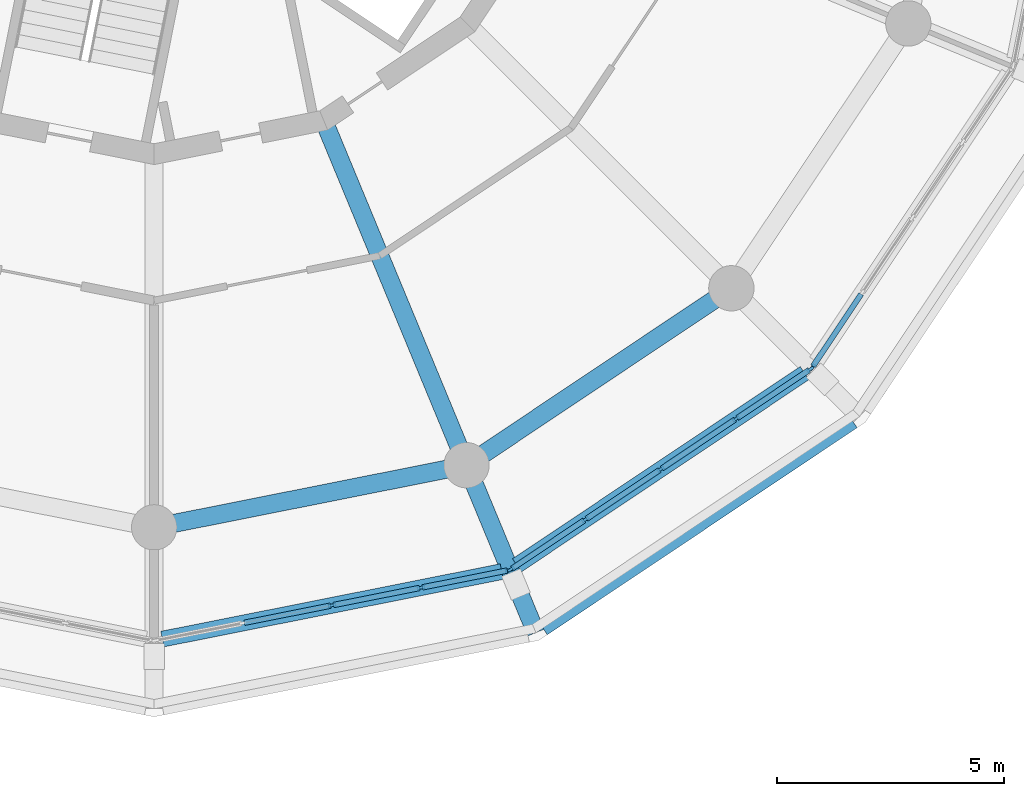
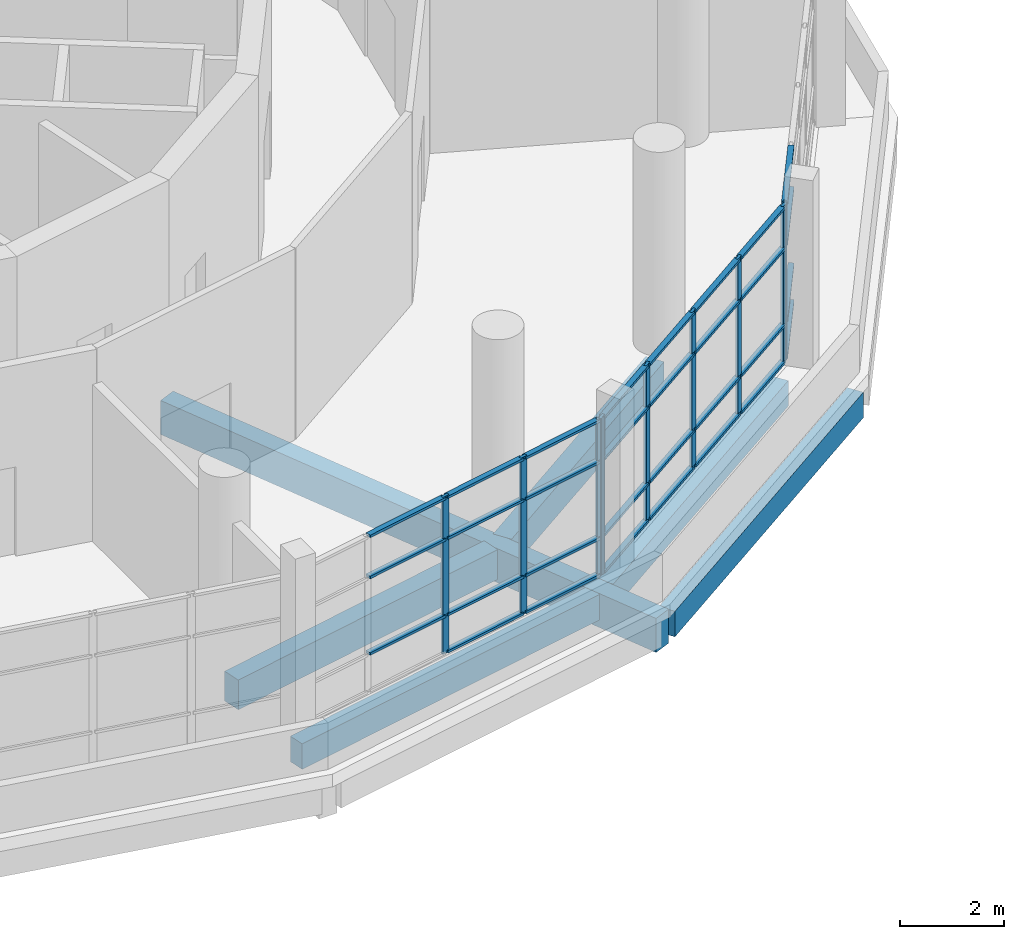
# One storey, part 5 of 40: 40 members, 6 beams, 3 elements without a shape of their own.
"""IFC4 building model written with IfcOpenShell, lengths in metres."""

from ifc_helpers import new_model, si_unit, direction, frame, origin, origin_2d, place, context, subcontext, project, spatial, rectangle, extrude, material, material_profile, profile_set, type_object, element, aggregate, save


model = new_model("IFC4")

# Units and contexts
model_context = context("Model", 3, precision=1e-05, world=origin(), true_north=direction((0.0, 1.0)))
body_context = subcontext(model_context, "Body", "Model", "MODEL_VIEW")
ifc_project = project(units=[si_unit("LENGTHUNIT", "METRE"), si_unit("AREAUNIT", "SQUARE_METRE"), si_unit("VOLUMEUNIT", "CUBIC_METRE"), si_unit("PLANEANGLEUNIT", "RADIAN"), si_unit("MASSUNIT", "GRAM", prefix="KILO")], contexts=[model_context])

# Site, building, storey
site_placement = place(None, origin())
site = spatial("IfcSite", under=ifc_project, at=site_placement, CompositionType="ELEMENT")
building_placement = place(site_placement, origin())
building = spatial("IfcBuilding", under=site, at=building_placement, Name="Ceibo Conservatory and Research Tower", CompositionType="ELEMENT")
storey_placement = place(building_placement, frame((0.0, 0.0, 6.0)))
storey = spatial("IfcBuildingStorey", under=building, at=storey_placement, Name="L01", CompositionType="ELEMENT", Elevation=6.0)

# Curtain wall, members
ifc_material_1 = material(Name="Aluminium and glass", Category="aluminium")
curtain_wall_type = type_object("IfcCurtainWallType", Name="Curtain wall CW1", PredefinedType="NOTDEFINED", material=ifc_material_1)
curtain_wall_1_placement = place(storey_placement, origin())
curtain_wall_1 = element("IfcCurtainWall", 1, at=curtain_wall_1_placement, inside=storey, type_object=curtain_wall_type, Name="CW-01.13", PredefinedType="NOTDEFINED")
ifc_material_2 = material(Name="Aluminium", Category="aluminium")
ifc_material_profile_1 = material_profile(ifc_material_2, rectangle(XDim=0.06005859375, YDim=0.159912109375, at=origin_2d()), Name="Aluminium 60 x 160")
ifc_profile_set_1 = profile_set([ifc_material_profile_1], Name="Aluminium")
member_type_1 = type_object("IfcMemberType", Name="Aluminium mullion 60 x 160", PredefinedType="MULLION", material=ifc_profile_set_1)
member_1_placement = place(storey_placement, frame((51.922607421875, 100.2802734375, 0.0), z_axis=(0.0, 0.0, 1.0), x_axis=(-0.195090380799, 0.980785268711, 0.0)))
member_1 = element("IfcMember", 2, at=member_1_placement, type_object=member_type_1, Name="CW-01.13 mullion 3", PredefinedType="MULLION", context=body_context, shape_type="SweptSolid", body=[
    extrude(rectangle(XDim=0.06005859375, YDim=0.159912109375, at=origin_2d()), origin(), (0.0, 0.0, 1.0), 3.699951171875),
])
member_2_placement = place(storey_placement, frame((53.8837890625, 100.67041015625, 0.0), z_axis=(0.0, 0.0, 1.0), x_axis=(-0.195090380799, 0.980785268711, 0.0)))
member_2 = element("IfcMember", 3, at=member_2_placement, type_object=member_type_1, Name="CW-01.13 mullion 4", PredefinedType="MULLION", context=body_context, shape_type="SweptSolid", body=[
    extrude(rectangle(XDim=0.06005859375, YDim=0.159912109375, at=origin_2d()), origin(), (0.0, 0.0, 1.0), 3.699951171875),
])
member_3_placement = place(storey_placement, frame((55.815673828125, 101.0546875, 0.0), z_axis=(0.0, 0.0, 1.0), x_axis=(-0.195090380799, 0.980785268711, 0.0)))
member_3 = element("IfcMember", 4, at=member_3_placement, type_object=member_type_1, Name="CW-01.13 mullion 5", PredefinedType="MULLION", context=body_context, shape_type="SweptSolid", body=[
    extrude(rectangle(XDim=0.06005859375, YDim=0.159912109375, at=origin_2d()), origin(), (0.0, 0.0, 1.0), 3.699951171875),
])

curtain_wall_2_placement = place(storey_placement, origin())
curtain_wall_2 = element("IfcCurtainWall", 5, at=curtain_wall_2_placement, inside=storey, type_object=curtain_wall_type, Name="CW-01.14", PredefinedType="NOTDEFINED")
member_4_placement = place(storey_placement, frame((55.869873046875, 101.0771484375, 0.0), z_axis=(0.0, 0.0, 1.0), x_axis=(-0.555570178092, 0.831469649004, 0.0)))
member_4 = element("IfcMember", 6, at=member_4_placement, type_object=member_type_1, Name="CW-01.14 mullion 1", PredefinedType="MULLION", context=body_context, shape_type="SweptSolid", body=[
    extrude(rectangle(XDim=0.06005859375, YDim=0.159912109375, at=origin_2d()), origin(), (0.0, 0.0, 1.0), 3.699951171875),
])
member_5_placement = place(storey_placement, frame((57.507568359375, 102.17138671875, 0.0), z_axis=(0.0, 0.0, 1.0), x_axis=(-0.555570178092, 0.831469649004, 0.0)))
member_5 = element("IfcMember", 7, at=member_5_placement, type_object=member_type_1, Name="CW-01.14 mullion 2", PredefinedType="MULLION", context=body_context, shape_type="SweptSolid", body=[
    extrude(rectangle(XDim=0.06005859375, YDim=0.159912109375, at=origin_2d()), origin(), (0.0, 0.0, 1.0), 3.699951171875),
])
member_6_placement = place(storey_placement, frame((59.17041015625, 103.282470703125, 0.0), z_axis=(0.0, 0.0, 1.0), x_axis=(-0.555570178092, 0.831469649004, 0.0)))
member_6 = element("IfcMember", 8, at=member_6_placement, type_object=member_type_1, Name="CW-01.14 mullion 3", PredefinedType="MULLION", context=body_context, shape_type="SweptSolid", body=[
    extrude(rectangle(XDim=0.06005859375, YDim=0.159912109375, at=origin_2d()), origin(), (0.0, 0.0, 1.0), 3.699951171875),
])
member_7_placement = place(storey_placement, frame((60.8330078125, 104.393310546875, 0.0), z_axis=(0.0, 0.0, 1.0), x_axis=(-0.555570178092, 0.831469649004, 0.0)))
member_7 = element("IfcMember", 9, at=member_7_placement, type_object=member_type_1, Name="CW-01.14 mullion 4", PredefinedType="MULLION", context=body_context, shape_type="SweptSolid", body=[
    extrude(rectangle(XDim=0.06005859375, YDim=0.159912109375, at=origin_2d()), origin(), (0.0, 0.0, 1.0), 3.699951171875),
])
member_8_placement = place(storey_placement, frame((62.470703125, 105.487548828125, 0.0), z_axis=(0.0, 0.0, 1.0), x_axis=(-0.555570178092, 0.831469649004, 0.0)))
member_8 = element("IfcMember", 10, at=member_8_placement, type_object=member_type_1, Name="CW-01.14 mullion 5", PredefinedType="MULLION", context=body_context, shape_type="SweptSolid", body=[
    extrude(rectangle(XDim=0.06005859375, YDim=0.159912109375, at=origin_2d()), origin(), (0.0, 0.0, 1.0), 3.699951171875),
])

# Curtain wall, member
curtain_wall_3_placement = place(storey_placement, origin())
curtain_wall_3 = element("IfcCurtainWall", 11, at=curtain_wall_3_placement, inside=storey, type_object=curtain_wall_type, Name="CW-01.15", PredefinedType="NOTDEFINED")
member_9_placement = place(storey_placement, frame((62.512451171875, 105.529296875, 0.0), z_axis=(0.0, 0.0, 1.0), x_axis=(-0.831469649004, 0.555570178092, 0.0)))
member_9 = element("IfcMember", 12, at=member_9_placement, type_object=member_type_1, Name="CW-01.15 mullion 1", PredefinedType="MULLION", context=body_context, shape_type="SweptSolid", body=[
    extrude(rectangle(XDim=0.06005859375, YDim=0.159912109375, at=origin_2d()), origin(), (0.0, 0.0, 1.0), 3.699951171875),
])

# Member
ifc_material_profile_2 = material_profile(ifc_material_2, rectangle(XDim=0.1201171875, YDim=0.06005859375, at=origin_2d()), Name="Aluminium 60 x 120")
ifc_profile_set_2 = profile_set([ifc_material_profile_2], Name="Aluminium")
member_type_2 = type_object("IfcMemberType", Name="Aluminium transom 60 x 120", PredefinedType="USERDEFINED", material=ifc_profile_set_2)
member_10_placement = place(storey_placement, frame((49.99072265625, 99.89599609375, 0.89990234375), z_axis=(0.980783478053, 0.195099382826, 0.0), x_axis=(-0.195099382826, 0.980783478053, 0.0)))
member_10 = element("IfcMember", 13, at=member_10_placement, type_object=member_type_2, Name="CW-01.13 transom 2.2", ObjectType="TRANSOM", PredefinedType="USERDEFINED", context=body_context, shape_type="SweptSolid", body=[
    extrude(rectangle(XDim=0.1201171875, YDim=0.06005859375, at=origin_2d()), origin(), (0.0, 0.0, 1.0), 1.939697265625),
])

member_11_placement = place(storey_placement, frame((49.99072265625, 99.89599609375, 2.699951171875), z_axis=(0.980783478053, 0.195099382826, 0.0), x_axis=(-0.195099382826, 0.980783478053, 0.0)))
member_11 = element("IfcMember", 14, at=member_11_placement, type_object=member_type_2, Name="CW-01.13 transom 2.3", ObjectType="TRANSOM", PredefinedType="USERDEFINED", context=body_context, shape_type="SweptSolid", body=[
    extrude(rectangle(XDim=0.1201171875, YDim=0.06005859375, at=origin_2d()), origin(), (0.0, 0.0, 1.0), 1.939697265625),
])

member_12_placement = place(storey_placement, frame((49.99072265625, 99.89599609375, 3.669921875), z_axis=(0.980783478053, 0.195099382826, 0.0), x_axis=(-0.195099382826, 0.980783478053, 0.0)))
member_12 = element("IfcMember", 15, at=member_12_placement, type_object=member_type_2, Name="CW-01.13 transom 2.4", ObjectType="TRANSOM", PredefinedType="USERDEFINED", context=body_context, shape_type="SweptSolid", body=[
    extrude(rectangle(XDim=0.1201171875, YDim=0.06005859375, at=origin_2d()), origin(), (0.0, 0.0, 1.0), 1.939697265625),
])

member_13_placement = place(storey_placement, frame((51.951904296875, 100.2861328125, 0.030029296875), z_axis=(0.980783478053, 0.195099382826, 0.0), x_axis=(-0.195099382826, 0.980783478053, 0.0)))
member_13 = element("IfcMember", 16, at=member_13_placement, type_object=member_type_2, Name="CW-01.13 transom 3.1", ObjectType="TRANSOM", PredefinedType="USERDEFINED", context=body_context, shape_type="SweptSolid", body=[
    extrude(rectangle(XDim=0.1201171875, YDim=0.06005859375, at=origin_2d()), origin(), (0.0, 0.0, 1.0), 1.939697265625),
])

member_14_placement = place(storey_placement, frame((51.951904296875, 100.2861328125, 0.89990234375), z_axis=(0.980783478053, 0.195099382826, 0.0), x_axis=(-0.195099382826, 0.980783478053, 0.0)))
member_14 = element("IfcMember", 17, at=member_14_placement, type_object=member_type_2, Name="CW-01.13 transom 3.2", ObjectType="TRANSOM", PredefinedType="USERDEFINED", context=body_context, shape_type="SweptSolid", body=[
    extrude(rectangle(XDim=0.1201171875, YDim=0.06005859375, at=origin_2d()), origin(), (0.0, 0.0, 1.0), 1.939697265625),
])

member_15_placement = place(storey_placement, frame((51.951904296875, 100.2861328125, 2.699951171875), z_axis=(0.980783478053, 0.195099382826, 0.0), x_axis=(-0.195099382826, 0.980783478053, 0.0)))
member_15 = element("IfcMember", 18, at=member_15_placement, type_object=member_type_2, Name="CW-01.13 transom 3.3", ObjectType="TRANSOM", PredefinedType="USERDEFINED", context=body_context, shape_type="SweptSolid", body=[
    extrude(rectangle(XDim=0.1201171875, YDim=0.06005859375, at=origin_2d()), origin(), (0.0, 0.0, 1.0), 1.939697265625),
])

member_16_placement = place(storey_placement, frame((51.951904296875, 100.2861328125, 3.669921875), z_axis=(0.980783478053, 0.195099382826, 0.0), x_axis=(-0.195099382826, 0.980783478053, 0.0)))
member_16 = element("IfcMember", 19, at=member_16_placement, type_object=member_type_2, Name="CW-01.13 transom 3.4", ObjectType="TRANSOM", PredefinedType="USERDEFINED", context=body_context, shape_type="SweptSolid", body=[
    extrude(rectangle(XDim=0.1201171875, YDim=0.06005859375, at=origin_2d()), origin(), (0.0, 0.0, 1.0), 1.939697265625),
])

member_17_placement = place(storey_placement, frame((53.9130859375, 100.67626953125, 0.030029296875), z_axis=(0.980786642434, 0.195083474499, 0.0), x_axis=(-0.195083474499, 0.980786642434, 0.0)))
member_17 = element("IfcMember", 20, at=member_17_placement, type_object=member_type_2, Name="CW-01.13 transom 4.1", ObjectType="TRANSOM", PredefinedType="USERDEFINED", context=body_context, shape_type="SweptSolid", body=[
    extrude(rectangle(XDim=0.1201171875, YDim=0.06005859375, at=origin_2d()), origin(), (0.0, 0.0, 1.0), 1.90966796875),
])

member_18_placement = place(storey_placement, frame((53.9130859375, 100.67626953125, 0.89990234375), z_axis=(0.980786642434, 0.195083474499, 0.0), x_axis=(-0.195083474499, 0.980786642434, 0.0)))
member_18 = element("IfcMember", 21, at=member_18_placement, type_object=member_type_2, Name="CW-01.13 transom 4.2", ObjectType="TRANSOM", PredefinedType="USERDEFINED", context=body_context, shape_type="SweptSolid", body=[
    extrude(rectangle(XDim=0.1201171875, YDim=0.06005859375, at=origin_2d()), origin(), (0.0, 0.0, 1.0), 1.90966796875),
])

member_19_placement = place(storey_placement, frame((53.9130859375, 100.67626953125, 2.699951171875), z_axis=(0.980786642434, 0.195083474499, 0.0), x_axis=(-0.195083474499, 0.980786642434, 0.0)))
member_19 = element("IfcMember", 22, at=member_19_placement, type_object=member_type_2, Name="CW-01.13 transom 4.3", ObjectType="TRANSOM", PredefinedType="USERDEFINED", context=body_context, shape_type="SweptSolid", body=[
    extrude(rectangle(XDim=0.1201171875, YDim=0.06005859375, at=origin_2d()), origin(), (0.0, 0.0, 1.0), 1.90966796875),
])

member_20_placement = place(storey_placement, frame((53.9130859375, 100.67626953125, 3.669921875), z_axis=(0.980786642434, 0.195083474499, 0.0), x_axis=(-0.195083474499, 0.980786642434, 0.0)))
member_20 = element("IfcMember", 23, at=member_20_placement, type_object=member_type_2, Name="CW-01.13 transom 4.4", ObjectType="TRANSOM", PredefinedType="USERDEFINED", context=body_context, shape_type="SweptSolid", body=[
    extrude(rectangle(XDim=0.1201171875, YDim=0.06005859375, at=origin_2d()), origin(), (0.0, 0.0, 1.0), 1.90966796875),
])

aggregate(curtain_wall_1, [member_1, member_2, member_3, member_10, member_11, member_12, member_13, member_14, member_15, member_16, member_17, member_18, member_19, member_20])

member_21_placement = place(storey_placement, frame((55.89501953125, 101.09375, 0.030029296875), z_axis=(0.831420334371, 0.555643975577, 0.0), x_axis=(-0.555643975577, 0.831420334371, 0.0)))
member_21 = element("IfcMember", 24, at=member_21_placement, type_object=member_type_2, Name="CW-01.14 transom 1.1", ObjectType="TRANSOM", PredefinedType="USERDEFINED", context=body_context, shape_type="SweptSolid", body=[
    extrude(rectangle(XDim=0.1201171875, YDim=0.06005859375, at=origin_2d()), origin(), (0.0, 0.0, 1.0), 1.90966796875),
])

member_22_placement = place(storey_placement, frame((55.89501953125, 101.09375, 0.89990234375), z_axis=(0.831420334371, 0.555643975577, 0.0), x_axis=(-0.555643975577, 0.831420334371, 0.0)))
member_22 = element("IfcMember", 25, at=member_22_placement, type_object=member_type_2, Name="CW-01.14 transom 1.2", ObjectType="TRANSOM", PredefinedType="USERDEFINED", context=body_context, shape_type="SweptSolid", body=[
    extrude(rectangle(XDim=0.1201171875, YDim=0.06005859375, at=origin_2d()), origin(), (0.0, 0.0, 1.0), 1.90966796875),
])

member_23_placement = place(storey_placement, frame((55.89501953125, 101.09375, 2.699951171875), z_axis=(0.831420334371, 0.555643975577, 0.0), x_axis=(-0.555643975577, 0.831420334371, 0.0)))
member_23 = element("IfcMember", 26, at=member_23_placement, type_object=member_type_2, Name="CW-01.14 transom 1.3", ObjectType="TRANSOM", PredefinedType="USERDEFINED", context=body_context, shape_type="SweptSolid", body=[
    extrude(rectangle(XDim=0.1201171875, YDim=0.06005859375, at=origin_2d()), origin(), (0.0, 0.0, 1.0), 1.90966796875),
])

member_24_placement = place(storey_placement, frame((55.89501953125, 101.09375, 3.669921875), z_axis=(0.831420334371, 0.555643975577, 0.0), x_axis=(-0.555643975577, 0.831420334371, 0.0)))
member_24 = element("IfcMember", 27, at=member_24_placement, type_object=member_type_2, Name="CW-01.14 transom 1.4", ObjectType="TRANSOM", PredefinedType="USERDEFINED", context=body_context, shape_type="SweptSolid", body=[
    extrude(rectangle(XDim=0.1201171875, YDim=0.06005859375, at=origin_2d()), origin(), (0.0, 0.0, 1.0), 1.90966796875),
])

member_25_placement = place(storey_placement, frame((57.53271484375, 102.18798828125, 0.030029296875), z_axis=(0.831468919367, 0.55557127007, 0.0), x_axis=(-0.55557127007, 0.831468919367, 0.0)))
member_25 = element("IfcMember", 28, at=member_25_placement, type_object=member_type_2, Name="CW-01.14 transom 2.1", ObjectType="TRANSOM", PredefinedType="USERDEFINED", context=body_context, shape_type="SweptSolid", body=[
    extrude(rectangle(XDim=0.1201171875, YDim=0.06005859375, at=origin_2d()), origin(), (0.0, 0.0, 1.0), 1.939697265625),
])

member_26_placement = place(storey_placement, frame((57.53271484375, 102.18798828125, 0.89990234375), z_axis=(0.831468919367, 0.55557127007, 0.0), x_axis=(-0.55557127007, 0.831468919367, 0.0)))
member_26 = element("IfcMember", 29, at=member_26_placement, type_object=member_type_2, Name="CW-01.14 transom 2.2", ObjectType="TRANSOM", PredefinedType="USERDEFINED", context=body_context, shape_type="SweptSolid", body=[
    extrude(rectangle(XDim=0.1201171875, YDim=0.06005859375, at=origin_2d()), origin(), (0.0, 0.0, 1.0), 1.939697265625),
])

member_27_placement = place(storey_placement, frame((57.53271484375, 102.18798828125, 2.699951171875), z_axis=(0.831468919367, 0.55557127007, 0.0), x_axis=(-0.55557127007, 0.831468919367, 0.0)))
member_27 = element("IfcMember", 30, at=member_27_placement, type_object=member_type_2, Name="CW-01.14 transom 2.3", ObjectType="TRANSOM", PredefinedType="USERDEFINED", context=body_context, shape_type="SweptSolid", body=[
    extrude(rectangle(XDim=0.1201171875, YDim=0.06005859375, at=origin_2d()), origin(), (0.0, 0.0, 1.0), 1.939697265625),
])

member_28_placement = place(storey_placement, frame((57.53271484375, 102.18798828125, 3.669921875), z_axis=(0.831468919367, 0.55557127007, 0.0), x_axis=(-0.55557127007, 0.831468919367, 0.0)))
member_28 = element("IfcMember", 31, at=member_28_placement, type_object=member_type_2, Name="CW-01.14 transom 2.4", ObjectType="TRANSOM", PredefinedType="USERDEFINED", context=body_context, shape_type="SweptSolid", body=[
    extrude(rectangle(XDim=0.1201171875, YDim=0.06005859375, at=origin_2d()), origin(), (0.0, 0.0, 1.0), 1.939697265625),
])

member_29_placement = place(storey_placement, frame((59.1953125, 103.299072265625, 0.030029296875), z_axis=(0.831468919367, 0.55557127007, 0.0), x_axis=(-0.55557127007, 0.831468919367, 0.0)))
member_29 = element("IfcMember", 32, at=member_29_placement, type_object=member_type_2, Name="CW-01.14 transom 3.1", ObjectType="TRANSOM", PredefinedType="USERDEFINED", context=body_context, shape_type="SweptSolid", body=[
    extrude(rectangle(XDim=0.1201171875, YDim=0.06005859375, at=origin_2d()), origin(), (0.0, 0.0, 1.0), 1.939697265625),
])

member_30_placement = place(storey_placement, frame((59.1953125, 103.299072265625, 0.89990234375), z_axis=(0.831468919367, 0.55557127007, 0.0), x_axis=(-0.55557127007, 0.831468919367, 0.0)))
member_30 = element("IfcMember", 33, at=member_30_placement, type_object=member_type_2, Name="CW-01.14 transom 3.2", ObjectType="TRANSOM", PredefinedType="USERDEFINED", context=body_context, shape_type="SweptSolid", body=[
    extrude(rectangle(XDim=0.1201171875, YDim=0.06005859375, at=origin_2d()), origin(), (0.0, 0.0, 1.0), 1.939697265625),
])

member_31_placement = place(storey_placement, frame((59.1953125, 103.299072265625, 2.699951171875), z_axis=(0.831468919367, 0.55557127007, 0.0), x_axis=(-0.55557127007, 0.831468919367, 0.0)))
member_31 = element("IfcMember", 34, at=member_31_placement, type_object=member_type_2, Name="CW-01.14 transom 3.3", ObjectType="TRANSOM", PredefinedType="USERDEFINED", context=body_context, shape_type="SweptSolid", body=[
    extrude(rectangle(XDim=0.1201171875, YDim=0.06005859375, at=origin_2d()), origin(), (0.0, 0.0, 1.0), 1.939697265625),
])

member_32_placement = place(storey_placement, frame((59.1953125, 103.299072265625, 3.669921875), z_axis=(0.831468919367, 0.55557127007, 0.0), x_axis=(-0.55557127007, 0.831468919367, 0.0)))
member_32 = element("IfcMember", 35, at=member_32_placement, type_object=member_type_2, Name="CW-01.14 transom 3.4", ObjectType="TRANSOM", PredefinedType="USERDEFINED", context=body_context, shape_type="SweptSolid", body=[
    extrude(rectangle(XDim=0.1201171875, YDim=0.06005859375, at=origin_2d()), origin(), (0.0, 0.0, 1.0), 1.939697265625),
])

member_33_placement = place(storey_placement, frame((60.85791015625, 104.409912109375, 0.030029296875), z_axis=(0.831459801075, 0.555584916278, 0.0), x_axis=(-0.555584916278, 0.831459801075, 0.0)))
member_33 = element("IfcMember", 36, at=member_33_placement, type_object=member_type_2, Name="CW-01.14 transom 4.1", ObjectType="TRANSOM", PredefinedType="USERDEFINED", context=body_context, shape_type="SweptSolid", body=[
    extrude(rectangle(XDim=0.1201171875, YDim=0.06005859375, at=origin_2d()), origin(), (0.0, 0.0, 1.0), 1.90966796875),
])

member_34_placement = place(storey_placement, frame((60.85791015625, 104.409912109375, 0.89990234375), z_axis=(0.831459801075, 0.555584916278, 0.0), x_axis=(-0.555584916278, 0.831459801075, 0.0)))
member_34 = element("IfcMember", 37, at=member_34_placement, type_object=member_type_2, Name="CW-01.14 transom 4.2", ObjectType="TRANSOM", PredefinedType="USERDEFINED", context=body_context, shape_type="SweptSolid", body=[
    extrude(rectangle(XDim=0.1201171875, YDim=0.06005859375, at=origin_2d()), origin(), (0.0, 0.0, 1.0), 1.90966796875),
])

member_35_placement = place(storey_placement, frame((60.85791015625, 104.409912109375, 2.699951171875), z_axis=(0.831459801075, 0.555584916278, 0.0), x_axis=(-0.555584916278, 0.831459801075, 0.0)))
member_35 = element("IfcMember", 38, at=member_35_placement, type_object=member_type_2, Name="CW-01.14 transom 4.3", ObjectType="TRANSOM", PredefinedType="USERDEFINED", context=body_context, shape_type="SweptSolid", body=[
    extrude(rectangle(XDim=0.1201171875, YDim=0.06005859375, at=origin_2d()), origin(), (0.0, 0.0, 1.0), 1.90966796875),
])

member_36_placement = place(storey_placement, frame((60.85791015625, 104.409912109375, 3.669921875), z_axis=(0.831459801075, 0.555584916278, 0.0), x_axis=(-0.555584916278, 0.831459801075, 0.0)))
member_36 = element("IfcMember", 39, at=member_36_placement, type_object=member_type_2, Name="CW-01.14 transom 4.4", ObjectType="TRANSOM", PredefinedType="USERDEFINED", context=body_context, shape_type="SweptSolid", body=[
    extrude(rectangle(XDim=0.1201171875, YDim=0.06005859375, at=origin_2d()), origin(), (0.0, 0.0, 1.0), 1.90966796875),
])

aggregate(curtain_wall_2, [member_4, member_5, member_6, member_7, member_8, member_21, member_22, member_23, member_24, member_25, member_26, member_27, member_28, member_29, member_30, member_31, member_32, member_33, member_34, member_35, member_36])

member_37_placement = place(storey_placement, frame((62.529052734375, 105.55419921875, 0.030029296875), z_axis=(0.555584916278, 0.831459801075, 0.0), x_axis=(-0.831459801075, 0.555584916278, 0.0)))
member_37 = element("IfcMember", 40, at=member_37_placement, type_object=member_type_2, Name="CW-01.15 transom 1.1", ObjectType="TRANSOM", PredefinedType="USERDEFINED", context=body_context, shape_type="SweptSolid", body=[
    extrude(rectangle(XDim=0.1201171875, YDim=0.06005859375, at=origin_2d()), origin(), (0.0, 0.0, 1.0), 1.90966796875),
])

member_38_placement = place(storey_placement, frame((62.529052734375, 105.55419921875, 0.89990234375), z_axis=(0.555584916278, 0.831459801075, 0.0), x_axis=(-0.831459801075, 0.555584916278, 0.0)))
member_38 = element("IfcMember", 41, at=member_38_placement, type_object=member_type_2, Name="CW-01.15 transom 1.2", ObjectType="TRANSOM", PredefinedType="USERDEFINED", context=body_context, shape_type="SweptSolid", body=[
    extrude(rectangle(XDim=0.1201171875, YDim=0.06005859375, at=origin_2d()), origin(), (0.0, 0.0, 1.0), 1.90966796875),
])

member_39_placement = place(storey_placement, frame((62.529052734375, 105.55419921875, 2.699951171875), z_axis=(0.555584916278, 0.831459801075, 0.0), x_axis=(-0.831459801075, 0.555584916278, 0.0)))
member_39 = element("IfcMember", 42, at=member_39_placement, type_object=member_type_2, Name="CW-01.15 transom 1.3", ObjectType="TRANSOM", PredefinedType="USERDEFINED", context=body_context, shape_type="SweptSolid", body=[
    extrude(rectangle(XDim=0.1201171875, YDim=0.06005859375, at=origin_2d()), origin(), (0.0, 0.0, 1.0), 1.90966796875),
])

member_40_placement = place(storey_placement, frame((62.529052734375, 105.55419921875, 3.669921875), z_axis=(0.555584916278, 0.831459801075, 0.0), x_axis=(-0.831459801075, 0.555584916278, 0.0)))
member_40 = element("IfcMember", 43, at=member_40_placement, type_object=member_type_2, Name="CW-01.15 transom 1.4", ObjectType="TRANSOM", PredefinedType="USERDEFINED", context=body_context, shape_type="SweptSolid", body=[
    extrude(rectangle(XDim=0.1201171875, YDim=0.06005859375, at=origin_2d()), origin(), (0.0, 0.0, 1.0), 1.90966796875),
])

aggregate(curtain_wall_3, [member_9, member_37, member_38, member_39, member_40])

# Beams
ifc_material_3 = material(Name="Concrete C35/45", Category="concrete")
ifc_material_profile_3 = material_profile(ifc_material_3, rectangle(XDim=0.35009765625, YDim=0.60009765625, at=origin_2d()), Name="RC 350x600")
ifc_profile_set_3 = profile_set([ifc_material_profile_3], Name="Concrete C35/45")
beam_type_1 = type_object("IfcBeamType", Name="RC beam 350x600 C35", PredefinedType="BEAM", material=ifc_profile_set_3)
for number, where, z_axis, x_axis, name in (
    (44, (48.180419921875, 99.535888671875, -0.60009765625), (0.980783190489, 0.195100828433, 0.0), (-0.195100828433, 0.980783190489, 0.0), "Edge beam 13 L01"),
    (45, (55.998046875, 101.16259765625, -0.60009765625), (0.831464091312, 0.555578495676, 0.0), (-0.555578495676, 0.831464091312, 0.0), "Edge beam 14 L01"),
):
    element("IfcBeam", number, at=place(storey_placement, frame(where, z_axis=z_axis, x_axis=x_axis)), inside=storey, type_object=beam_type_1, Name=name, PredefinedType="BEAM", context=body_context, shape_type="SweptSolid", body=[
        extrude(rectangle(XDim=0.35009765625, YDim=0.60009765625, at=origin_2d()), origin(), (0.0, 0.0, 1.0), 7.630859375),
    ])
beam_1_placement = place(storey_placement, frame((56.572021484375, 99.77685546875, -0.60009765625), z_axis=(0.831460092327, 0.555584480406, 0.0), x_axis=(-0.555584480406, 0.831460092327, 0.0)))
element("IfcBeam", 46, at=beam_1_placement, inside=storey, type_object=beam_type_1, Name="Edge beam 14 L01", PredefinedType="BEAM", context=body_context, shape_type="SweptSolid", body=[
    extrude(rectangle(XDim=0.35009765625, YDim=0.60009765625, at=origin_2d()), origin(), (0.0, 0.0, 1.0), 8.216064453125),
])
ifc_material_profile_4 = material_profile(ifc_material_3, rectangle(XDim=0.39990234375, YDim=0.699951171875, at=origin_2d()), Name="RC 400x700")
ifc_profile_set_4 = profile_set([ifc_material_profile_4], Name="Concrete C35/45")
beam_type_2 = type_object("IfcBeamType", Name="RC beam 400x700 C35", PredefinedType="BEAM", material=ifc_profile_set_4)
beam_2_placement = place(storey_placement, frame((48.180419921875, 102.035888671875, -0.64990234375), z_axis=(0.980787526167, 0.19507903146, 0.0), x_axis=(-0.19507903146, 0.980787526167, 0.0)))
element("IfcBeam", 47, at=beam_2_placement, inside=storey, type_object=beam_type_2, Name="Ring beam 13 L01", PredefinedType="BEAM", context=body_context, shape_type="SweptSolid", body=[
    extrude(rectangle(XDim=0.39990234375, YDim=0.699951171875, at=origin_2d()), origin(), (0.0, 0.0, 1.0), 6.655517578125),
])
beam_3_placement = place(storey_placement, frame((55.041259765625, 103.472412109375, -0.64990234375), z_axis=(0.83146854485, 0.555571830572, 0.0), x_axis=(-0.555571830572, 0.83146854485, 0.0)))
element("IfcBeam", 48, at=beam_3_placement, inside=storey, type_object=beam_type_2, Name="Ring beam 14 L01", PredefinedType="BEAM", context=body_context, shape_type="SweptSolid", body=[
    extrude(rectangle(XDim=0.39990234375, YDim=0.699951171875, at=origin_2d()), origin(), (0.0, 0.0, 1.0), 6.6552734375),
])
ifc_material_profile_5 = material_profile(ifc_material_3, rectangle(XDim=0.39990234375, YDim=0.800048828125, at=origin_2d()), Name="RC 400x800")
ifc_profile_set_5 = profile_set([ifc_material_profile_5], Name="Concrete C35/45")
beam_type_3 = type_object("IfcBeamType", Name="RC beam 400x800 C35", PredefinedType="BEAM", material=ifc_profile_set_5)
beam_4_placement = place(storey_placement, frame((51.8076171875, 110.807373046875, -0.699951171875), z_axis=(0.382696089639, -0.923874289595, 0.0), x_axis=(0.923874289595, 0.382696089639, 0.0)))
element("IfcBeam", 49, at=beam_4_placement, inside=storey, type_object=beam_type_3, Name="Radial beam R14 L01", PredefinedType="BEAM", context=body_context, shape_type="SweptSolid", body=[
    extrude(rectangle(XDim=0.39990234375, YDim=0.800048828125, at=origin_2d()), origin(), (0.0, 0.0, 1.0), 12.045166015625),
])

save(model, "model.ifc")
